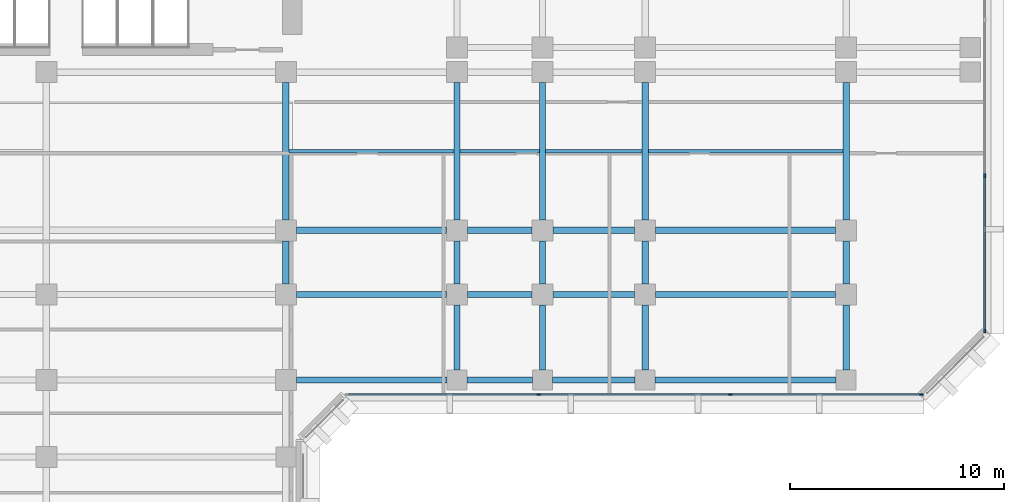
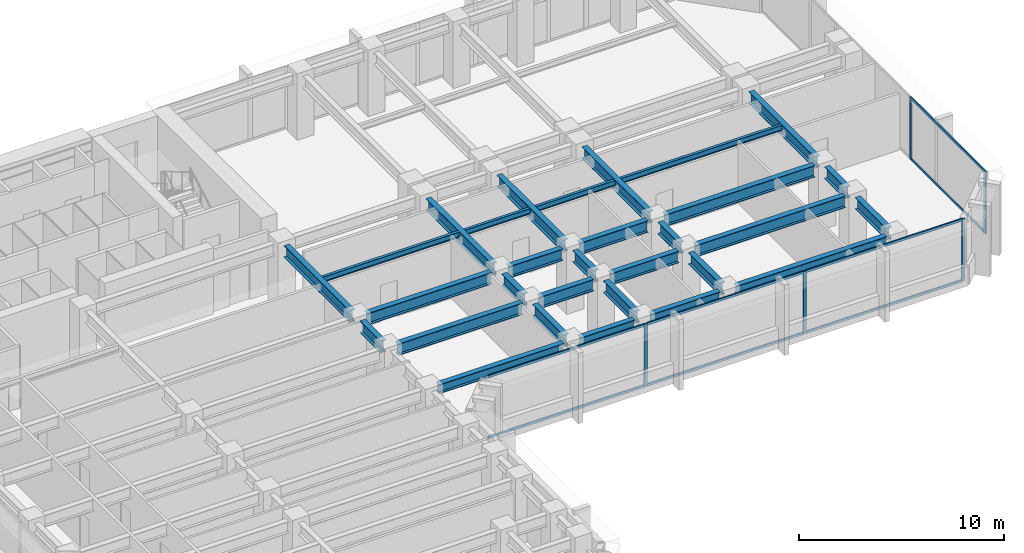
# One storey, part 3 of 13: 30 beams, 13 members, 2 elements without a shape of their own.
"""IFC4 building model written with IfcOpenShell, lengths in metres."""

from ifc_helpers import new_model, si_unit, direction, frame, origin, origin_2d, place, context, subcontext, project, spatial, rectangle, i_section, extrude, material, layer, layer_set, material_profile, profile_set, type_object, element, aggregate, save


model = new_model("IFC4")

# Units and contexts
model_context = context("Model", 3, precision=1e-05, world=origin(), true_north=direction((0.0, 1.0)))
body_context = subcontext(model_context, "Body", "Model", "MODEL_VIEW")
ifc_project = project(units=[si_unit("LENGTHUNIT", "METRE"), si_unit("AREAUNIT", "SQUARE_METRE"), si_unit("VOLUMEUNIT", "CUBIC_METRE"), si_unit("PLANEANGLEUNIT", "RADIAN"), si_unit("MASSUNIT", "GRAM", prefix="KILO")], contexts=[model_context])

# Site, building, storey
site_placement = place(None, origin())
site = spatial("IfcSite", under=ifc_project, at=site_placement, CompositionType="ELEMENT")
building_placement = place(site_placement, origin())
building = spatial("IfcBuilding", under=site, at=building_placement, Name="Kefirva Bronze Tower", CompositionType="ELEMENT")
storey_placement = place(building_placement, frame((0.0, 0.0, 81.840087890625)))
storey = spatial("IfcBuildingStorey", under=building, at=storey_placement, Name="L19", CompositionType="ELEMENT", Elevation=81.840087890625)

# Curtain wall, members
ifc_material_1 = material(Name="Bronze anodised aluminium", Category="aluminium")
ifc_layer = layer(ifc_material_1, 0.199951171875, Name="Bronze anodised aluminium")
ifc_layer_set = layer_set([ifc_layer], Name="Bronze anodised aluminium")
curtain_wall_type = type_object("IfcCurtainWallType", Name="Unitised Bronze Ribbon Curtain Wall Zone 1", PredefinedType="USERDEFINED", material=ifc_layer_set)
curtain_wall_1_placement = place(storey_placement, origin())
curtain_wall_1 = element("IfcCurtainWall", 1, at=curtain_wall_1_placement, inside=storey, type_object=curtain_wall_type, Name="L19 Curtain Wall 2", ObjectType="UNITISED CURTAIN WALL", PredefinedType="USERDEFINED")
ifc_material_profile_1 = material_profile(ifc_material_1, rectangle(XDim=0.074951171875, YDim=0.179931640625, at=origin_2d()), Name="ALU 75x180")
ifc_profile_set_1 = profile_set([ifc_material_profile_1], Name="Bronze anodised aluminium")
member_type_1 = type_object("IfcMemberType", Name="Bronze Mullion 75x180", PredefinedType="MULLION", material=ifc_profile_set_1)
member_1_placement = place(storey_placement, frame((35.018310546875, 18.1201171875, 0.0), z_axis=(0.0, 0.0, 1.0), x_axis=(0.0, 1.0, 0.0)))
member_1 = element("IfcMember", 2, at=member_1_placement, type_object=member_type_1, Name="CW-01 mullion 2", PredefinedType="MULLION", context=body_context, shape_type="SweptSolid", body=[
    extrude(rectangle(XDim=0.074951171875, YDim=0.179931640625, at=origin_2d()), origin(), (0.0, 0.0, 1.0), 3.7099609375),
])
member_2_placement = place(storey_placement, frame((43.981689453125, 18.1201171875, 0.0), z_axis=(0.0, 0.0, 1.0), x_axis=(0.0, 1.0, 0.0)))
member_2 = element("IfcMember", 3, at=member_2_placement, type_object=member_type_1, Name="CW-01 mullion 3", PredefinedType="MULLION", context=body_context, shape_type="SweptSolid", body=[
    extrude(rectangle(XDim=0.074951171875, YDim=0.179931640625, at=origin_2d()), origin(), (0.0, 0.0, 1.0), 3.7099609375),
])
member_3_placement = place(storey_placement, frame((52.907470703125, 18.1201171875, 0.0), z_axis=(0.0, 0.0, 1.0), x_axis=(0.0, 1.0, 0.0)))
member_3 = element("IfcMember", 4, at=member_3_placement, type_object=member_type_1, Name="CW-01 mullion 4", PredefinedType="MULLION", context=body_context, shape_type="SweptSolid", body=[
    extrude(rectangle(XDim=0.074951171875, YDim=0.179931640625, at=origin_2d()), origin(), (0.0, 0.0, 1.0), 3.7099609375),
])

curtain_wall_2_placement = place(storey_placement, origin())
curtain_wall_2 = element("IfcCurtainWall", 5, at=curtain_wall_2_placement, inside=storey, type_object=curtain_wall_type, Name="L19 Curtain Wall 3", ObjectType="UNITISED CURTAIN WALL", PredefinedType="USERDEFINED")
member_4_placement = place(storey_placement, frame((55.8798828125, 21.092529296875, 0.0), z_axis=(0.0, 0.0, 1.0), x_axis=(-1.0, 0.0, 0.0)))
member_4 = element("IfcMember", 6, at=member_4_placement, type_object=member_type_1, Name="CW-01 mullion 1", PredefinedType="MULLION", context=body_context, shape_type="SweptSolid", body=[
    extrude(rectangle(XDim=0.074951171875, YDim=0.179931640625, at=origin_2d()), origin(), (0.0, 0.0, 1.0), 3.7099609375),
])
member_5_placement = place(storey_placement, frame((55.8798828125, 28.3515625, 0.0), z_axis=(0.0, 0.0, 1.0), x_axis=(-1.0, 0.0, 0.0)))
member_5 = element("IfcMember", 7, at=member_5_placement, type_object=member_type_1, Name="CW-01 mullion 2", PredefinedType="MULLION", context=body_context, shape_type="SweptSolid", body=[
    extrude(rectangle(XDim=0.074951171875, YDim=0.179931640625, at=origin_2d()), origin(), (0.0, 0.0, 1.0), 3.7099609375),
])

# Member
ifc_material_profile_2 = material_profile(ifc_material_1, rectangle(XDim=0.074951171875, YDim=0.14990234375, at=origin_2d()), Name="ALU 75x150")
ifc_profile_set_2 = profile_set([ifc_material_profile_2], Name="Bronze anodised aluminium")
member_type_2 = type_object("IfcMemberType", Name="Bronze Transom 75x150", PredefinedType="USERDEFINED", material=ifc_profile_set_2)
member_6_placement = place(storey_placement, frame((26.1298828125, 18.1201171875, 0.037353515625), z_axis=(1.0, 0.0, 0.0), x_axis=(0.0, 1.0, 0.0)))
member_6 = element("IfcMember", 8, at=member_6_placement, type_object=member_type_2, Name="CW-01 transom 1.1", ObjectType="TRANSOM", PredefinedType="USERDEFINED", context=body_context, shape_type="SweptSolid", body=[
    extrude(rectangle(XDim=0.074951171875, YDim=0.14990234375, at=origin_2d()), origin(), (0.0, 0.0, 1.0), 8.850830078125),
])

member_7_placement = place(storey_placement, frame((26.1298828125, 18.1201171875, 3.67236328125), z_axis=(1.0, 0.0, 0.0), x_axis=(0.0, 1.0, 0.0)))
member_7 = element("IfcMember", 9, at=member_7_placement, type_object=member_type_2, Name="CW-01 transom 1.2", ObjectType="TRANSOM", PredefinedType="USERDEFINED", context=body_context, shape_type="SweptSolid", body=[
    extrude(rectangle(XDim=0.074951171875, YDim=0.14990234375, at=origin_2d()), origin(), (0.0, 0.0, 1.0), 8.850830078125),
])

member_8_placement = place(storey_placement, frame((35.055908203125, 18.1201171875, 0.037353515625), z_axis=(1.0, 0.0, 0.0), x_axis=(0.0, 1.0, 0.0)))
member_8 = element("IfcMember", 10, at=member_8_placement, type_object=member_type_2, Name="CW-01 transom 2.1", ObjectType="TRANSOM", PredefinedType="USERDEFINED", context=body_context, shape_type="SweptSolid", body=[
    extrude(rectangle(XDim=0.074951171875, YDim=0.14990234375, at=origin_2d()), origin(), (0.0, 0.0, 1.0), 8.88818359375),
])

member_9_placement = place(storey_placement, frame((35.055908203125, 18.1201171875, 3.67236328125), z_axis=(1.0, 0.0, 0.0), x_axis=(0.0, 1.0, 0.0)))
member_9 = element("IfcMember", 11, at=member_9_placement, type_object=member_type_2, Name="CW-01 transom 2.2", ObjectType="TRANSOM", PredefinedType="USERDEFINED", context=body_context, shape_type="SweptSolid", body=[
    extrude(rectangle(XDim=0.074951171875, YDim=0.14990234375, at=origin_2d()), origin(), (0.0, 0.0, 1.0), 8.88818359375),
])

member_10_placement = place(storey_placement, frame((44.019287109375, 18.1201171875, 0.037353515625), z_axis=(1.0, 0.0, 0.0), x_axis=(0.0, 1.0, 0.0)))
member_10 = element("IfcMember", 12, at=member_10_placement, type_object=member_type_2, Name="CW-01 transom 3.1", ObjectType="TRANSOM", PredefinedType="USERDEFINED", context=body_context, shape_type="SweptSolid", body=[
    extrude(rectangle(XDim=0.074951171875, YDim=0.14990234375, at=origin_2d()), origin(), (0.0, 0.0, 1.0), 8.850830078125),
])

member_11_placement = place(storey_placement, frame((44.019287109375, 18.1201171875, 3.67236328125), z_axis=(1.0, 0.0, 0.0), x_axis=(0.0, 1.0, 0.0)))
member_11 = element("IfcMember", 13, at=member_11_placement, type_object=member_type_2, Name="CW-01 transom 3.2", ObjectType="TRANSOM", PredefinedType="USERDEFINED", context=body_context, shape_type="SweptSolid", body=[
    extrude(rectangle(XDim=0.074951171875, YDim=0.14990234375, at=origin_2d()), origin(), (0.0, 0.0, 1.0), 8.850830078125),
])

aggregate(curtain_wall_1, [member_1, member_2, member_3, member_6, member_7, member_8, member_9, member_10, member_11])

member_12_placement = place(storey_placement, frame((55.8798828125, 21.1298828125, 0.037353515625), z_axis=(0.0, 1.0, 0.0), x_axis=(-1.0, 0.0, 0.0)))
member_12 = element("IfcMember", 14, at=member_12_placement, type_object=member_type_2, Name="CW-01 transom 1.1", ObjectType="TRANSOM", PredefinedType="USERDEFINED", context=body_context, shape_type="SweptSolid", body=[
    extrude(rectangle(XDim=0.074951171875, YDim=0.14990234375, at=origin_2d()), origin(), (0.0, 0.0, 1.0), 7.184326171875),
])

member_13_placement = place(storey_placement, frame((55.8798828125, 21.1298828125, 3.67236328125), z_axis=(0.0, 1.0, 0.0), x_axis=(-1.0, 0.0, 0.0)))
member_13 = element("IfcMember", 15, at=member_13_placement, type_object=member_type_2, Name="CW-01 transom 1.2", ObjectType="TRANSOM", PredefinedType="USERDEFINED", context=body_context, shape_type="SweptSolid", body=[
    extrude(rectangle(XDim=0.074951171875, YDim=0.14990234375, at=origin_2d()), origin(), (0.0, 0.0, 1.0), 7.184326171875),
])

aggregate(curtain_wall_2, [member_4, member_5, member_12, member_13])

# Beams
ifc_material_2 = material(Name="Steel S355", Category="steel")
ifc_material_profile_3 = material_profile(ifc_material_2, i_section(OverallWidth=0.159912109375, OverallDepth=0.330078125, WebThickness=0.007568359375, FlangeThickness=0.011474609375, at=origin_2d()), Name="IPE 330")
ifc_profile_set_3 = profile_set([ifc_material_profile_3], Name="Steel S355")
beam_type_1 = type_object("IfcBeamType", Name="Steel Floor Joist IPE 330", PredefinedType="JOIST", material=ifc_profile_set_3)
beam_1_placement = place(storey_placement, frame((23.35009765625, 29.5, 3.544921875), z_axis=(1.0, 0.0, 0.0), x_axis=(0.0, 1.0, 0.0)))
element("IfcBeam", 16, at=beam_1_placement, inside=storey, type_object=beam_type_1, Name="L19 JST-L19-23-295", PredefinedType="JOIST", context=body_context, shape_type="SweptSolid", body=[
    extrude(i_section(OverallWidth=0.159912109375, OverallDepth=0.330078125, WebThickness=0.007568359375, FlangeThickness=0.011474609375, at=origin_2d()), origin(), (0.0, 0.0, 1.0), 7.699951171875),
])
beam_2_placement = place(storey_placement, frame((31.35009765625, 29.5, 3.544921875), z_axis=(1.0, 0.0, 0.0), x_axis=(0.0, 1.0, 0.0)))
element("IfcBeam", 17, at=beam_2_placement, inside=storey, type_object=beam_type_1, Name="L19 JST-L19-31-295", PredefinedType="JOIST", context=body_context, shape_type="SweptSolid", body=[
    extrude(i_section(OverallWidth=0.159912109375, OverallDepth=0.330078125, WebThickness=0.007568359375, FlangeThickness=0.011474609375, at=origin_2d()), origin(), (0.0, 0.0, 1.0), 3.699951171875),
])
beam_3_placement = place(storey_placement, frame((35.35009765625, 29.5, 3.544921875), z_axis=(1.0, 0.0, 0.0), x_axis=(0.0, 1.0, 0.0)))
element("IfcBeam", 18, at=beam_3_placement, inside=storey, type_object=beam_type_1, Name="L19 JST-L19-35-295", PredefinedType="JOIST", context=body_context, shape_type="SweptSolid", body=[
    extrude(i_section(OverallWidth=0.159912109375, OverallDepth=0.330078125, WebThickness=0.007568359375, FlangeThickness=0.011474609375, at=origin_2d()), origin(), (0.0, 0.0, 1.0), 4.5),
])
beam_4_placement = place(storey_placement, frame((40.14990234375, 29.5, 3.544921875), z_axis=(1.0, 0.0, 0.0), x_axis=(0.0, 1.0, 0.0)))
element("IfcBeam", 19, at=beam_4_placement, inside=storey, type_object=beam_type_1, Name="L19 JST-L19-40-295", PredefinedType="JOIST", context=body_context, shape_type="SweptSolid", body=[
    extrude(i_section(OverallWidth=0.159912109375, OverallDepth=0.330078125, WebThickness=0.007568359375, FlangeThickness=0.011474609375, at=origin_2d()), origin(), (0.0, 0.0, 1.0), 9.10009765625),
])
ifc_material_profile_4 = material_profile(ifc_material_2, i_section(OverallWidth=0.300048828125, OverallDepth=0.699951171875, WebThickness=0.01708984375, FlangeThickness=0.031982421875, at=origin_2d()), Name="HEB 700")
ifc_profile_set_4 = profile_set([ifc_material_profile_4], Name="Steel S355")
beam_type_2 = type_object("IfcBeamType", Name="Steel Girder HEB 700", PredefinedType="USERDEFINED", material=ifc_profile_set_4)
beam_5_placement = place(storey_placement, frame((23.68994140625, 22.800048828125, 3.35986328125), z_axis=(1.0, 0.0, 0.0), x_axis=(0.0, 1.0, 0.0)))
element("IfcBeam", 20, at=beam_5_placement, inside=storey, type_object=beam_type_2, Name="L19 BM-L19-EW-23-228", ObjectType="GIRDER", PredefinedType="USERDEFINED", context=body_context, shape_type="SweptSolid", body=[
    extrude(i_section(OverallWidth=0.300048828125, OverallDepth=0.699951171875, WebThickness=0.01708984375, FlangeThickness=0.031982421875, at=origin_2d()), origin(), (0.0, 0.0, 1.0), 7.02001953125),
])
beam_6_placement = place(storey_placement, frame((31.68994140625, 22.800048828125, 3.35986328125), z_axis=(1.0, 0.0, 0.0), x_axis=(0.0, 1.0, 0.0)))
element("IfcBeam", 21, at=beam_6_placement, inside=storey, type_object=beam_type_2, Name="L19 BM-L19-EW-31-228", ObjectType="GIRDER", PredefinedType="USERDEFINED", context=body_context, shape_type="SweptSolid", body=[
    extrude(i_section(OverallWidth=0.300048828125, OverallDepth=0.699951171875, WebThickness=0.01708984375, FlangeThickness=0.031982421875, at=origin_2d()), origin(), (0.0, 0.0, 1.0), 3.02001953125),
])
beam_7_placement = place(storey_placement, frame((35.68994140625, 22.800048828125, 3.35986328125), z_axis=(1.0, 0.0, 0.0), x_axis=(0.0, 1.0, 0.0)))
element("IfcBeam", 22, at=beam_7_placement, inside=storey, type_object=beam_type_2, Name="L19 BM-L19-EW-35-228", ObjectType="GIRDER", PredefinedType="USERDEFINED", context=body_context, shape_type="SweptSolid", body=[
    extrude(i_section(OverallWidth=0.300048828125, OverallDepth=0.699951171875, WebThickness=0.01708984375, FlangeThickness=0.031982421875, at=origin_2d()), origin(), (0.0, 0.0, 1.0), 3.820068359375),
])
beam_8_placement = place(storey_placement, frame((40.489990234375, 22.800048828125, 3.35986328125), z_axis=(1.0, 0.0, 0.0), x_axis=(0.0, 1.0, 0.0)))
element("IfcBeam", 23, at=beam_8_placement, inside=storey, type_object=beam_type_2, Name="L19 BM-L19-EW-40-228", ObjectType="GIRDER", PredefinedType="USERDEFINED", context=body_context, shape_type="SweptSolid", body=[
    extrude(i_section(OverallWidth=0.300048828125, OverallDepth=0.699951171875, WebThickness=0.01708984375, FlangeThickness=0.031982421875, at=origin_2d()), origin(), (0.0, 0.0, 1.0), 8.419921875),
])
beam_9_placement = place(storey_placement, frame((23.68994140625, 25.800048828125, 3.35986328125), z_axis=(1.0, 0.0, 0.0), x_axis=(0.0, 1.0, 0.0)))
element("IfcBeam", 24, at=beam_9_placement, inside=storey, type_object=beam_type_2, Name="L19 BM-L19-EW-23-258", ObjectType="GIRDER", PredefinedType="USERDEFINED", context=body_context, shape_type="SweptSolid", body=[
    extrude(i_section(OverallWidth=0.300048828125, OverallDepth=0.699951171875, WebThickness=0.01708984375, FlangeThickness=0.031982421875, at=origin_2d()), origin(), (0.0, 0.0, 1.0), 7.02001953125),
])
beam_10_placement = place(storey_placement, frame((31.68994140625, 25.800048828125, 3.35986328125), z_axis=(1.0, 0.0, 0.0), x_axis=(0.0, 1.0, 0.0)))
element("IfcBeam", 25, at=beam_10_placement, inside=storey, type_object=beam_type_2, Name="L19 BM-L19-EW-31-258", ObjectType="GIRDER", PredefinedType="USERDEFINED", context=body_context, shape_type="SweptSolid", body=[
    extrude(i_section(OverallWidth=0.300048828125, OverallDepth=0.699951171875, WebThickness=0.01708984375, FlangeThickness=0.031982421875, at=origin_2d()), origin(), (0.0, 0.0, 1.0), 3.02001953125),
])
beam_11_placement = place(storey_placement, frame((35.68994140625, 25.800048828125, 3.35986328125), z_axis=(1.0, 0.0, 0.0), x_axis=(0.0, 1.0, 0.0)))
element("IfcBeam", 26, at=beam_11_placement, inside=storey, type_object=beam_type_2, Name="L19 BM-L19-EW-35-258", ObjectType="GIRDER", PredefinedType="USERDEFINED", context=body_context, shape_type="SweptSolid", body=[
    extrude(i_section(OverallWidth=0.300048828125, OverallDepth=0.699951171875, WebThickness=0.01708984375, FlangeThickness=0.031982421875, at=origin_2d()), origin(), (0.0, 0.0, 1.0), 3.820068359375),
])
beam_12_placement = place(storey_placement, frame((40.489990234375, 25.800048828125, 3.35986328125), z_axis=(1.0, 0.0, 0.0), x_axis=(0.0, 1.0, 0.0)))
element("IfcBeam", 27, at=beam_12_placement, inside=storey, type_object=beam_type_2, Name="L19 BM-L19-EW-40-258", ObjectType="GIRDER", PredefinedType="USERDEFINED", context=body_context, shape_type="SweptSolid", body=[
    extrude(i_section(OverallWidth=0.300048828125, OverallDepth=0.699951171875, WebThickness=0.01708984375, FlangeThickness=0.031982421875, at=origin_2d()), origin(), (0.0, 0.0, 1.0), 8.419921875),
])
beam_13_placement = place(storey_placement, frame((23.199951171875, 23.2900390625, 3.35986328125), z_axis=(0.0, 1.0, 0.0), x_axis=(-1.0, 0.0, 0.0)))
element("IfcBeam", 28, at=beam_13_placement, inside=storey, type_object=beam_type_2, Name="L19 BM-L19-NS-232-22", ObjectType="GIRDER", PredefinedType="USERDEFINED", context=body_context, shape_type="SweptSolid", body=[
    extrude(i_section(OverallWidth=0.300048828125, OverallDepth=0.699951171875, WebThickness=0.01708984375, FlangeThickness=0.031982421875, at=origin_2d()), origin(), (0.0, 0.0, 1.0), 2.02001953125),
])
beam_14_placement = place(storey_placement, frame((23.199951171875, 26.2900390625, 3.35986328125), z_axis=(0.0, 1.0, 0.0), x_axis=(-1.0, 0.0, 0.0)))
element("IfcBeam", 29, at=beam_14_placement, inside=storey, type_object=beam_type_2, Name="L19 BM-L19-NS-232-25", ObjectType="GIRDER", PredefinedType="USERDEFINED", context=body_context, shape_type="SweptSolid", body=[
    extrude(i_section(OverallWidth=0.300048828125, OverallDepth=0.699951171875, WebThickness=0.01708984375, FlangeThickness=0.031982421875, at=origin_2d()), origin(), (0.0, 0.0, 1.0), 6.419921875),
])
beam_15_placement = place(storey_placement, frame((31.199951171875, 19.27001953125, 3.35986328125), z_axis=(0.0, 1.0, 0.0), x_axis=(-1.0, 0.0, 0.0)))
element("IfcBeam", 30, at=beam_15_placement, inside=storey, type_object=beam_type_2, Name="L19 BM-L19-NS-312-18", ObjectType="GIRDER", PredefinedType="USERDEFINED", context=body_context, shape_type="SweptSolid", body=[
    extrude(i_section(OverallWidth=0.300048828125, OverallDepth=0.699951171875, WebThickness=0.01708984375, FlangeThickness=0.031982421875, at=origin_2d()), origin(), (0.0, 0.0, 1.0), 3.0400390625),
])
beam_16_placement = place(storey_placement, frame((31.199951171875, 23.2900390625, 3.35986328125), z_axis=(0.0, 1.0, 0.0), x_axis=(-1.0, 0.0, 0.0)))
element("IfcBeam", 31, at=beam_16_placement, inside=storey, type_object=beam_type_2, Name="L19 BM-L19-NS-312-22", ObjectType="GIRDER", PredefinedType="USERDEFINED", context=body_context, shape_type="SweptSolid", body=[
    extrude(i_section(OverallWidth=0.300048828125, OverallDepth=0.699951171875, WebThickness=0.01708984375, FlangeThickness=0.031982421875, at=origin_2d()), origin(), (0.0, 0.0, 1.0), 2.02001953125),
])
beam_17_placement = place(storey_placement, frame((31.199951171875, 26.2900390625, 3.35986328125), z_axis=(0.0, 1.0, 0.0), x_axis=(-1.0, 0.0, 0.0)))
element("IfcBeam", 32, at=beam_17_placement, inside=storey, type_object=beam_type_2, Name="L19 BM-L19-NS-312-25", ObjectType="GIRDER", PredefinedType="USERDEFINED", context=body_context, shape_type="SweptSolid", body=[
    extrude(i_section(OverallWidth=0.300048828125, OverallDepth=0.699951171875, WebThickness=0.01708984375, FlangeThickness=0.031982421875, at=origin_2d()), origin(), (0.0, 0.0, 1.0), 6.419921875),
])
beam_18_placement = place(storey_placement, frame((35.199951171875, 19.27001953125, 3.35986328125), z_axis=(0.0, 1.0, 0.0), x_axis=(-1.0, 0.0, 0.0)))
element("IfcBeam", 33, at=beam_18_placement, inside=storey, type_object=beam_type_2, Name="L19 BM-L19-NS-352-18", ObjectType="GIRDER", PredefinedType="USERDEFINED", context=body_context, shape_type="SweptSolid", body=[
    extrude(i_section(OverallWidth=0.300048828125, OverallDepth=0.699951171875, WebThickness=0.01708984375, FlangeThickness=0.031982421875, at=origin_2d()), origin(), (0.0, 0.0, 1.0), 3.0400390625),
])
beam_19_placement = place(storey_placement, frame((35.199951171875, 23.2900390625, 3.35986328125), z_axis=(0.0, 1.0, 0.0), x_axis=(-1.0, 0.0, 0.0)))
element("IfcBeam", 34, at=beam_19_placement, inside=storey, type_object=beam_type_2, Name="L19 BM-L19-NS-352-22", ObjectType="GIRDER", PredefinedType="USERDEFINED", context=body_context, shape_type="SweptSolid", body=[
    extrude(i_section(OverallWidth=0.300048828125, OverallDepth=0.699951171875, WebThickness=0.01708984375, FlangeThickness=0.031982421875, at=origin_2d()), origin(), (0.0, 0.0, 1.0), 2.02001953125),
])
beam_20_placement = place(storey_placement, frame((35.199951171875, 26.2900390625, 3.35986328125), z_axis=(0.0, 1.0, 0.0), x_axis=(-1.0, 0.0, 0.0)))
element("IfcBeam", 35, at=beam_20_placement, inside=storey, type_object=beam_type_2, Name="L19 BM-L19-NS-352-25", ObjectType="GIRDER", PredefinedType="USERDEFINED", context=body_context, shape_type="SweptSolid", body=[
    extrude(i_section(OverallWidth=0.300048828125, OverallDepth=0.699951171875, WebThickness=0.01708984375, FlangeThickness=0.031982421875, at=origin_2d()), origin(), (0.0, 0.0, 1.0), 6.419921875),
])
beam_21_placement = place(storey_placement, frame((40.0, 19.27001953125, 3.35986328125), z_axis=(0.0, 1.0, 0.0), x_axis=(-1.0, 0.0, 0.0)))
element("IfcBeam", 36, at=beam_21_placement, inside=storey, type_object=beam_type_2, Name="L19 BM-L19-NS-400-18", ObjectType="GIRDER", PredefinedType="USERDEFINED", context=body_context, shape_type="SweptSolid", body=[
    extrude(i_section(OverallWidth=0.300048828125, OverallDepth=0.699951171875, WebThickness=0.01708984375, FlangeThickness=0.031982421875, at=origin_2d()), origin(), (0.0, 0.0, 1.0), 3.0400390625),
])
beam_22_placement = place(storey_placement, frame((40.0, 23.2900390625, 3.35986328125), z_axis=(0.0, 1.0, 0.0), x_axis=(-1.0, 0.0, 0.0)))
element("IfcBeam", 37, at=beam_22_placement, inside=storey, type_object=beam_type_2, Name="L19 BM-L19-NS-400-22", ObjectType="GIRDER", PredefinedType="USERDEFINED", context=body_context, shape_type="SweptSolid", body=[
    extrude(i_section(OverallWidth=0.300048828125, OverallDepth=0.699951171875, WebThickness=0.01708984375, FlangeThickness=0.031982421875, at=origin_2d()), origin(), (0.0, 0.0, 1.0), 2.02001953125),
])
beam_23_placement = place(storey_placement, frame((40.0, 26.2900390625, 3.35986328125), z_axis=(0.0, 1.0, 0.0), x_axis=(-1.0, 0.0, 0.0)))
element("IfcBeam", 38, at=beam_23_placement, inside=storey, type_object=beam_type_2, Name="L19 BM-L19-NS-400-25", ObjectType="GIRDER", PredefinedType="USERDEFINED", context=body_context, shape_type="SweptSolid", body=[
    extrude(i_section(OverallWidth=0.300048828125, OverallDepth=0.699951171875, WebThickness=0.01708984375, FlangeThickness=0.031982421875, at=origin_2d()), origin(), (0.0, 0.0, 1.0), 6.419921875),
])
beam_24_placement = place(storey_placement, frame((49.39990234375, 19.27001953125, 3.35986328125), z_axis=(0.0, 1.0, 0.0), x_axis=(-1.0, 0.0, 0.0)))
element("IfcBeam", 39, at=beam_24_placement, inside=storey, type_object=beam_type_2, Name="L19 BM-L19-NS-494-18", ObjectType="GIRDER", PredefinedType="USERDEFINED", context=body_context, shape_type="SweptSolid", body=[
    extrude(i_section(OverallWidth=0.300048828125, OverallDepth=0.699951171875, WebThickness=0.01708984375, FlangeThickness=0.031982421875, at=origin_2d()), origin(), (0.0, 0.0, 1.0), 3.0400390625),
])
beam_25_placement = place(storey_placement, frame((49.39990234375, 23.2900390625, 3.35986328125), z_axis=(0.0, 1.0, 0.0), x_axis=(-1.0, 0.0, 0.0)))
element("IfcBeam", 40, at=beam_25_placement, inside=storey, type_object=beam_type_2, Name="L19 BM-L19-NS-494-22", ObjectType="GIRDER", PredefinedType="USERDEFINED", context=body_context, shape_type="SweptSolid", body=[
    extrude(i_section(OverallWidth=0.300048828125, OverallDepth=0.699951171875, WebThickness=0.01708984375, FlangeThickness=0.031982421875, at=origin_2d()), origin(), (0.0, 0.0, 1.0), 2.02001953125),
])
beam_26_placement = place(storey_placement, frame((49.39990234375, 26.2900390625, 3.35986328125), z_axis=(0.0, 1.0, 0.0), x_axis=(-1.0, 0.0, 0.0)))
element("IfcBeam", 41, at=beam_26_placement, inside=storey, type_object=beam_type_2, Name="L19 BM-L19-NS-494-25", ObjectType="GIRDER", PredefinedType="USERDEFINED", context=body_context, shape_type="SweptSolid", body=[
    extrude(i_section(OverallWidth=0.300048828125, OverallDepth=0.699951171875, WebThickness=0.01708984375, FlangeThickness=0.031982421875, at=origin_2d()), origin(), (0.0, 0.0, 1.0), 6.419921875),
])
ifc_material_profile_5 = material_profile(ifc_material_2, i_section(OverallWidth=0.300048828125, OverallDepth=0.550048828125, WebThickness=0.014892578125, FlangeThickness=0.029052734375, at=origin_2d()), Name="HEB 550")
ifc_profile_set_5 = profile_set([ifc_material_profile_5], Name="Steel S355")
beam_type_3 = type_object("IfcBeamType", Name="Steel Spandrel HEB 550 Ext", PredefinedType="SPANDREL", material=ifc_profile_set_5)
beam_27_placement = place(storey_placement, frame((23.68994140625, 18.800048828125, 3.434814453125), z_axis=(1.0, 0.0, 0.0), x_axis=(0.0, 1.0, 0.0)))
element("IfcBeam", 42, at=beam_27_placement, inside=storey, type_object=beam_type_3, Name="L19 BM-L19-EW-23-188", PredefinedType="SPANDREL", context=body_context, shape_type="SweptSolid", body=[
    extrude(i_section(OverallWidth=0.300048828125, OverallDepth=0.550048828125, WebThickness=0.014892578125, FlangeThickness=0.029052734375, at=origin_2d()), origin(), (0.0, 0.0, 1.0), 7.0400390625),
])
beam_28_placement = place(storey_placement, frame((31.669921875, 18.800048828125, 3.434814453125), z_axis=(1.0, 0.0, 0.0), x_axis=(0.0, 1.0, 0.0)))
element("IfcBeam", 43, at=beam_28_placement, inside=storey, type_object=beam_type_3, Name="L19 BM-L19-EW-31-188", PredefinedType="SPANDREL", context=body_context, shape_type="SweptSolid", body=[
    extrude(i_section(OverallWidth=0.300048828125, OverallDepth=0.550048828125, WebThickness=0.014892578125, FlangeThickness=0.029052734375, at=origin_2d()), origin(), (0.0, 0.0, 1.0), 3.06005859375),
])
beam_29_placement = place(storey_placement, frame((35.669921875, 18.800048828125, 3.434814453125), z_axis=(1.0, 0.0, 0.0), x_axis=(0.0, 1.0, 0.0)))
element("IfcBeam", 44, at=beam_29_placement, inside=storey, type_object=beam_type_3, Name="L19 BM-L19-EW-35-188", PredefinedType="SPANDREL", context=body_context, shape_type="SweptSolid", body=[
    extrude(i_section(OverallWidth=0.300048828125, OverallDepth=0.550048828125, WebThickness=0.014892578125, FlangeThickness=0.029052734375, at=origin_2d()), origin(), (0.0, 0.0, 1.0), 3.860107421875),
])
beam_30_placement = place(storey_placement, frame((40.469970703125, 18.800048828125, 3.434814453125), z_axis=(1.0, 0.0, 0.0), x_axis=(0.0, 1.0, 0.0)))
element("IfcBeam", 45, at=beam_30_placement, inside=storey, type_object=beam_type_3, Name="L19 BM-L19-EW-40-188", PredefinedType="SPANDREL", context=body_context, shape_type="SweptSolid", body=[
    extrude(i_section(OverallWidth=0.300048828125, OverallDepth=0.550048828125, WebThickness=0.014892578125, FlangeThickness=0.029052734375, at=origin_2d()), origin(), (0.0, 0.0, 1.0), 8.4599609375),
])

save(model, "model.ifc")
